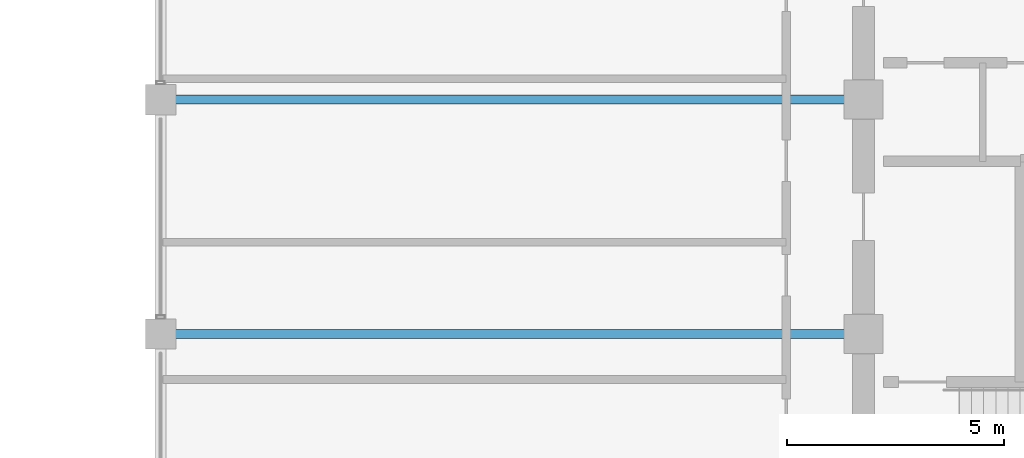
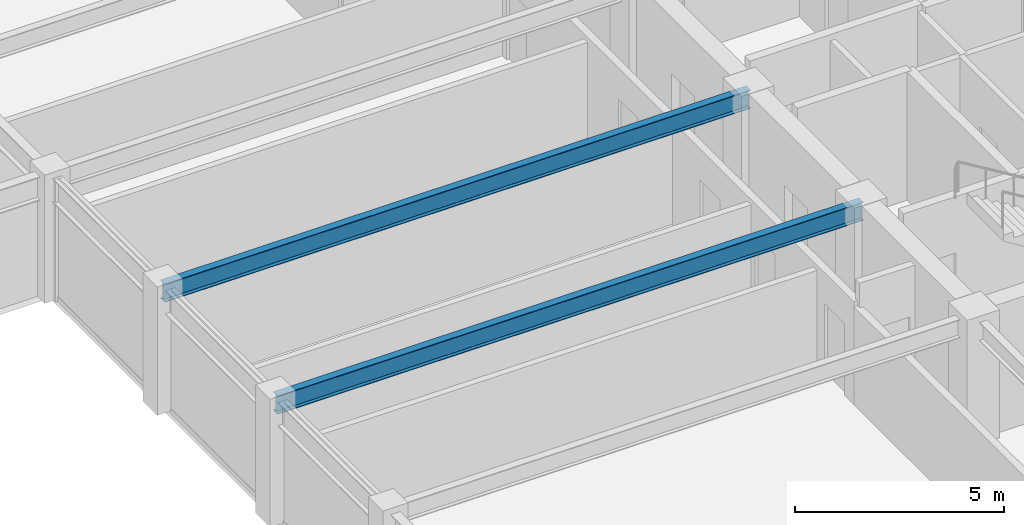
# One storey, part 6 of 31: 2 beams.
"""IFC4 building model written with IfcOpenShell, lengths in metres."""

from ifc_helpers import new_model, si_unit, direction, frame, origin, origin_2d, place, context, subcontext, project, spatial, i_section, extrude, material, material_profile, profile_set, type_object, element, save


model = new_model("IFC4")

# Units and contexts
model_context = context("Model", 3, precision=1e-05, world=origin(), true_north=direction((0.0, 1.0)))
body_context = subcontext(model_context, "Body", "Model", "MODEL_VIEW")
ifc_project = project(units=[si_unit("LENGTHUNIT", "METRE"), si_unit("AREAUNIT", "SQUARE_METRE"), si_unit("VOLUMEUNIT", "CUBIC_METRE"), si_unit("PLANEANGLEUNIT", "RADIAN"), si_unit("MASSUNIT", "GRAM", prefix="KILO")], contexts=[model_context])

# Site, building, storey
site_placement = place(None, origin())
site = spatial("IfcSite", under=ifc_project, at=site_placement, CompositionType="ELEMENT")
building_placement = place(site_placement, origin())
building = spatial("IfcBuilding", under=site, at=building_placement, Name="Surkhivell Harbour Commons", CompositionType="ELEMENT")
storey_placement = place(building_placement, frame((0.0, 0.0, 266.25)))
storey = spatial("IfcBuildingStorey", under=building, at=storey_placement, Name="L69", CompositionType="ELEMENT", Elevation=266.25)

# Beams
ifc_material = material(Name="Steel S355", Category="steel")
ifc_material_profile = material_profile(ifc_material, i_section(OverallWidth=0.2099609375, OverallDepth=0.537109375, WebThickness=0.0107421875, FlangeThickness=0.017333984375, at=origin_2d()), Name="UB533x210x101")
ifc_profile_set = profile_set([ifc_material_profile], Name="Steel S355")
beam_type = type_object("IfcBeamType", Name="BM-GRD-533B", PredefinedType="BEAM", material=ifc_profile_set)
for number, where, z_axis, x_axis, name in (
    (1, (-27.0, -5.39990234375, 3.301513671875), (1.0, 0.0, 0.0), (0.0, 1.0, 0.0), "L69 Floor Girder (-27.0,-5.4)"),
    (2, (-27.0, 0.0, 3.301513671875), (1.0, 0.0, 0.0), (0.0, 1.0, 0.0), "L69 Floor Girder (-27.0,0.0)"),
):
    element("IfcBeam", number, at=place(storey_placement, frame(where, z_axis=z_axis, x_axis=x_axis)), inside=storey, type_object=beam_type, Name=name, PredefinedType="BEAM", context=body_context, shape_type="SweptSolid", body=[
        extrude(i_section(OverallWidth=0.2099609375, OverallDepth=0.537109375, WebThickness=0.0107421875, FlangeThickness=0.017333984375, at=origin_2d()), origin(), (0.0, 0.0, 1.0), 16.199951171875),
    ])

save(model, "model.ifc")
